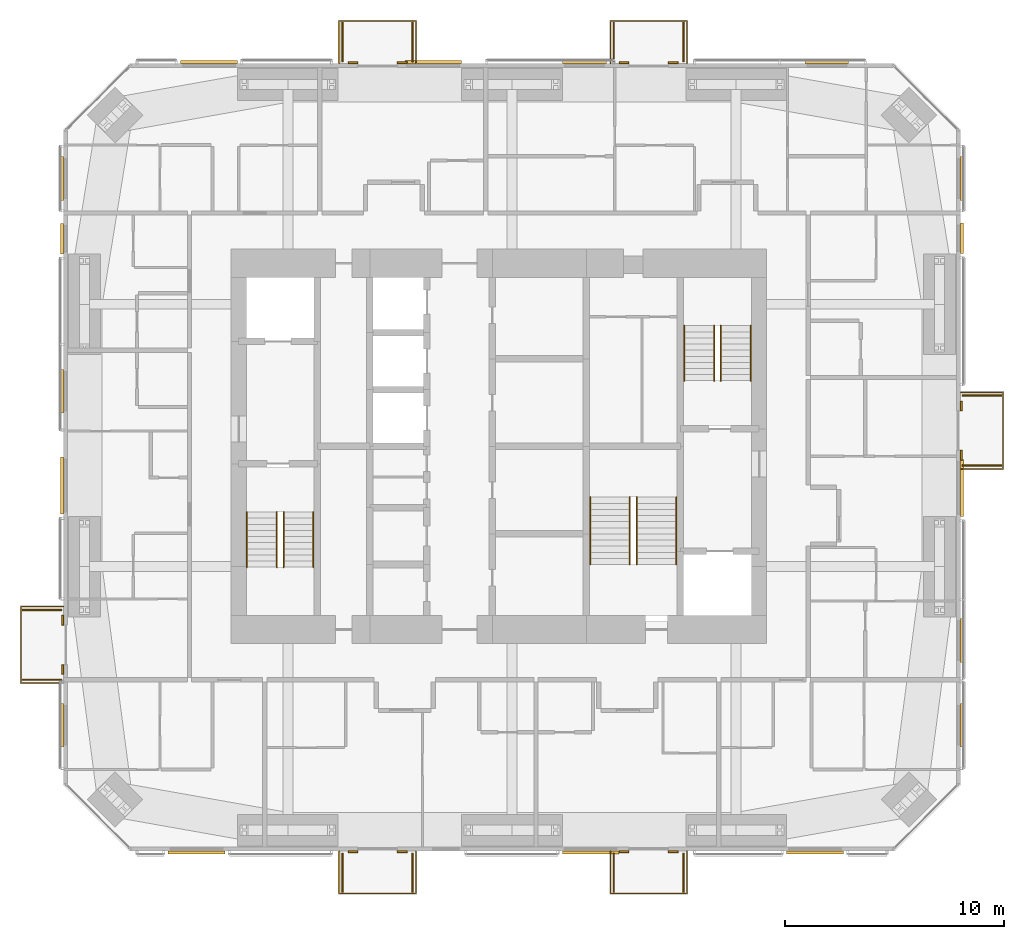
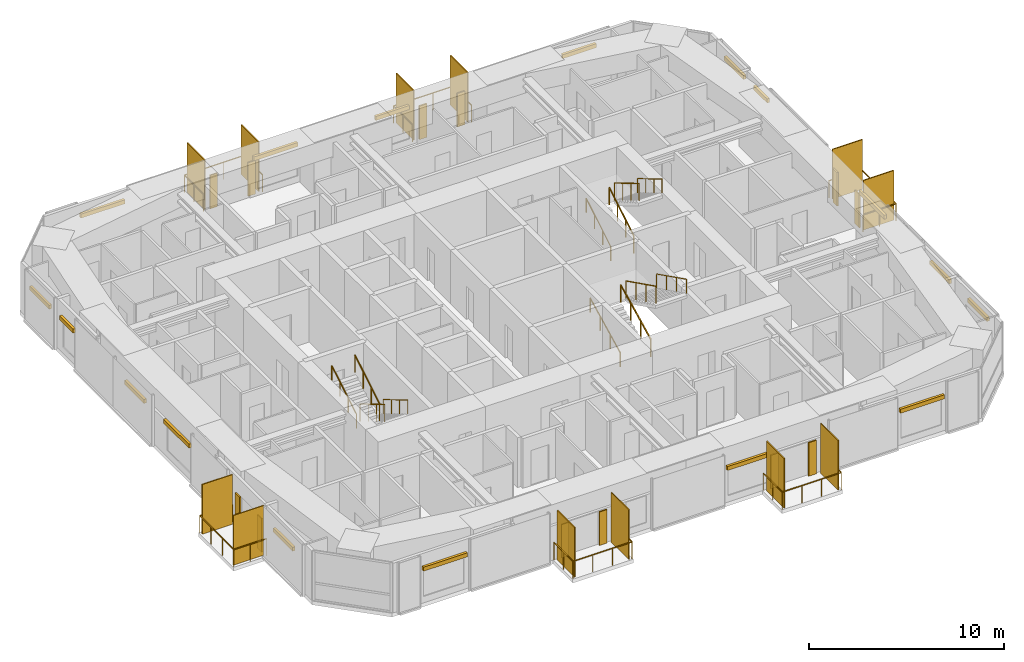
# One storey, part 23 of 23: 41 shading devices, 18 railings.
"""IFC4 building model written with IfcOpenShell, lengths in metres."""

from ifc_helpers import new_model, si_unit, direction, frame, origin, origin_2d, place, context, subcontext, project, spatial, rectangle, circle, extrude, material, layer, layer_set, constituent, constituent_set, type_object, element, save


model = new_model("IFC4")

# Units and contexts
model_context = context("Model", 3, precision=1e-05, world=origin(), true_north=direction((0.0, 1.0)))
body_context = subcontext(model_context, "Body", "Model", "MODEL_VIEW")
ifc_project = project(units=[si_unit("LENGTHUNIT", "METRE"), si_unit("AREAUNIT", "SQUARE_METRE"), si_unit("VOLUMEUNIT", "CUBIC_METRE"), si_unit("PLANEANGLEUNIT", "RADIAN"), si_unit("MASSUNIT", "GRAM", prefix="KILO")], contexts=[model_context])

# Site, building, storey
site_placement = place(None, origin())
site = spatial("IfcSite", under=ifc_project, at=site_placement, CompositionType="ELEMENT")
building_placement = place(site_placement, origin())
building = spatial("IfcBuilding", under=site, at=building_placement, Name="Jalousie Tower", CompositionType="ELEMENT")
storey_placement = place(building_placement, frame((0.0, 0.0, 164.39990234375)))
storey = spatial("IfcBuildingStorey", under=building, at=storey_placement, Name="L44", CompositionType="ELEMENT", Elevation=164.39990234375)

# Shading devices
ifc_material_1 = material(Name="Aluminium impact-rated louvred storm shutter", Category="aluminium")
shading_device_type_1 = type_object("IfcShadingDeviceType", Name="BI-FOLD STORM SHUTTER 900x2100", PredefinedType="SHUTTER", material=ifc_material_1)
for number, where, z_axis, x_axis, name in (
    (1, (25.22509765625, -0.0400390625, 0.0), (0.0, 0.0, 1.0), (1.0, 0.0, 0.0), "Balcony storm shutter L44"),
    (2, (27.47509765625, -0.0400390625, 0.0), (0.0, 0.0, 1.0), (1.0, 0.0, 0.0), "Balcony storm shutter L44"),
    (3, (37.625, -0.0400390625, 0.0), (0.0, 0.0, 1.0), (1.0, 0.0, 0.0), "Balcony storm shutter L44"),
    (4, (39.875, -0.0400390625, 0.0), (0.0, 0.0, 1.0), (1.0, 0.0, 0.0), "Balcony storm shutter L44"),
    (5, (53.0400390625, 18.10009765625, 0.0), (0.0, 0.0, 1.0), (0.0, 1.0, 0.0), "Balcony storm shutter L44"),
    (6, (53.0400390625, 20.35009765625, 0.0), (0.0, 0.0, 1.0), (0.0, 1.0, 0.0), "Balcony storm shutter L44"),
    (7, (39.875, 36.0400390625, 0.0), (0.0, 0.0, 1.0), (-1.0, 0.0, 0.0), "Balcony storm shutter L44"),
    (8, (37.625, 36.0400390625, 0.0), (0.0, 0.0, 1.0), (-1.0, 0.0, 0.0), "Balcony storm shutter L44"),
    (9, (27.47509765625, 36.0400390625, 0.0), (0.0, 0.0, 1.0), (-1.0, 0.0, 0.0), "Balcony storm shutter L44"),
    (10, (25.22509765625, 36.0400390625, 0.0), (0.0, 0.0, 1.0), (-1.0, 0.0, 0.0), "Balcony storm shutter L44"),
    (11, (11.9599609375, 10.550048828125, 0.0), (0.0, 0.0, 1.0), (0.0, -1.0, 0.0), "Balcony storm shutter L44"),
    (12, (11.9599609375, 8.300048828125, 0.0), (0.0, 0.0, 1.0), (0.0, -1.0, 0.0), "Balcony storm shutter L44"),
):
    element("IfcShadingDevice", number, at=place(storey_placement, frame(where, z_axis=z_axis, x_axis=x_axis)), inside=storey, type_object=shading_device_type_1, Name=name, PredefinedType="SHUTTER", context=body_context, shape_type="SweptSolid", body=[
        extrude(rectangle(XDim=0.449951171875, YDim=0.080078125, at=origin_2d()), origin(), (0.0, 0.0, 1.0), 2.10009765625),
    ])

# Railings
ifc_material_2 = material(Name="Powder-coated aluminium fretwork", Category="aluminium")
railing_type_1 = type_object("IfcRailingType", Name="FRETWORK BALUSTRADE 1100", PredefinedType="BALUSTRADE", material=ifc_material_2)
for number, where, name in (
    (13, (24.60009765625, 0.0, 0.0), "Balcony fretwork balustrade L44"),
    (14, (37.0, 0.0, 0.0), "Balcony fretwork balustrade L44"),
):
    element("IfcRailing", number, at=place(storey_placement, frame(where)), inside=storey, type_object=railing_type_1, Name=name, PredefinedType="BALUSTRADE", context=body_context, shape_type="SweptSolid", body=[
        extrude(rectangle(XDim=0.048095703125, YDim=0.048095703125, at=origin_2d()), frame((0.0, 0.0, 1.076171875), z_axis=(0.0, -1.0, 0.0), x_axis=(1.0, 0.0, 0.0)), (0.0, 0.0, 1.0), 1.949951171875),
        extrude(rectangle(XDim=0.048095703125, YDim=0.048095703125, at=origin_2d()), frame((0.0, -1.949951171875, 1.076171875), z_axis=(1.0, 0.0, 0.0), x_axis=(0.0, 1.0, 0.0)), (0.0, 0.0, 1.0), 3.5),
        extrude(rectangle(XDim=0.048095703125, YDim=0.048095703125, at=origin_2d()), frame((3.5, -1.949951171875, 1.076171875), z_axis=(0.0, 1.0, 0.0), x_axis=(-1.0, 0.0, 0.0)), (0.0, 0.0, 1.0), 1.949951171875),
        extrude(circle(Radius=0.02099609375, at=origin_2d()), origin(), (0.0, 0.0, 1.0), 1.052001953125),
        extrude(circle(Radius=0.02099609375, at=origin_2d()), frame((0.0, -0.97509765625, 0.0)), (0.0, 0.0, 1.0), 1.052001953125),
        extrude(circle(Radius=0.02099609375, at=origin_2d()), frame((0.0, -1.949951171875, 0.0)), (0.0, 0.0, 1.0), 1.052001953125),
        extrude(circle(Radius=0.02099609375, at=origin_2d()), frame((1.166748046875, -1.949951171875, 0.0)), (0.0, 0.0, 1.0), 1.052001953125),
        extrude(circle(Radius=0.02099609375, at=origin_2d()), frame((2.333251953125, -1.949951171875, 0.0)), (0.0, 0.0, 1.0), 1.052001953125),
        extrude(circle(Radius=0.02099609375, at=origin_2d()), frame((3.5, -1.949951171875, 0.0)), (0.0, 0.0, 1.0), 1.052001953125),
        extrude(circle(Radius=0.02099609375, at=origin_2d()), frame((3.5, -0.97509765625, 0.0)), (0.0, 0.0, 1.0), 1.052001953125),
        extrude(circle(Radius=0.02099609375, at=origin_2d()), frame((3.5, 0.0, 0.0)), (0.0, 0.0, 1.0), 1.052001953125),
    ])
railing_1_placement = place(storey_placement, frame((53.0, 17.47509765625, 0.0)))
element("IfcRailing", 15, at=railing_1_placement, inside=storey, type_object=railing_type_1, Name="Balcony fretwork balustrade L44", PredefinedType="BALUSTRADE", context=body_context, shape_type="SweptSolid", body=[
    extrude(rectangle(XDim=0.048095703125, YDim=0.048095703125, at=origin_2d()), frame((0.0, 0.0, 1.076171875), z_axis=(1.0, 0.0, 0.0), x_axis=(0.0, 1.0, 0.0)), (0.0, 0.0, 1.0), 1.949951171875),
    extrude(rectangle(XDim=0.048095703125, YDim=0.048095703125, at=origin_2d()), frame((1.949951171875, 0.0, 1.076171875), z_axis=(0.0, 1.0, 0.0), x_axis=(-1.0, 0.0, 0.0)), (0.0, 0.0, 1.0), 3.5),
    extrude(rectangle(XDim=0.048095703125, YDim=0.048095703125, at=origin_2d()), frame((1.949951171875, 3.5, 1.076171875), z_axis=(-1.0, 0.0, 0.0), x_axis=(0.0, -1.0, 0.0)), (0.0, 0.0, 1.0), 1.949951171875),
    extrude(circle(Radius=0.02099609375, at=origin_2d()), origin(), (0.0, 0.0, 1.0), 1.052001953125),
    extrude(circle(Radius=0.02099609375, at=origin_2d()), frame((0.97509765625, 0.0, 0.0)), (0.0, 0.0, 1.0), 1.052001953125),
    extrude(circle(Radius=0.02099609375, at=origin_2d()), frame((1.949951171875, 0.0, 0.0)), (0.0, 0.0, 1.0), 1.052001953125),
    extrude(circle(Radius=0.02099609375, at=origin_2d()), frame((1.949951171875, 1.166748046875, 0.0)), (0.0, 0.0, 1.0), 1.052001953125),
    extrude(circle(Radius=0.02099609375, at=origin_2d()), frame((1.949951171875, 2.333251953125, 0.0)), (0.0, 0.0, 1.0), 1.052001953125),
    extrude(circle(Radius=0.02099609375, at=origin_2d()), frame((1.949951171875, 3.5, 0.0)), (0.0, 0.0, 1.0), 1.052001953125),
    extrude(circle(Radius=0.02099609375, at=origin_2d()), frame((0.97509765625, 3.5, 0.0)), (0.0, 0.0, 1.0), 1.052001953125),
    extrude(circle(Radius=0.02099609375, at=origin_2d()), frame((0.0, 3.5, 0.0)), (0.0, 0.0, 1.0), 1.052001953125),
])
for number, where, name in (
    (16, (40.5, 36.0, 0.0), "Balcony fretwork balustrade L44"),
    (17, (28.10009765625, 36.0, 0.0), "Balcony fretwork balustrade L44"),
):
    element("IfcRailing", number, at=place(storey_placement, frame(where)), inside=storey, type_object=railing_type_1, Name=name, PredefinedType="BALUSTRADE", context=body_context, shape_type="SweptSolid", body=[
        extrude(rectangle(XDim=0.048095703125, YDim=0.048095703125, at=origin_2d()), frame((0.0, 0.0, 1.076171875), z_axis=(0.0, 1.0, 0.0), x_axis=(-1.0, 0.0, 0.0)), (0.0, 0.0, 1.0), 1.949951171875),
        extrude(rectangle(XDim=0.048095703125, YDim=0.048095703125, at=origin_2d()), frame((0.0, 1.949951171875, 1.076171875), z_axis=(-1.0, 0.0, 0.0), x_axis=(0.0, -1.0, 0.0)), (0.0, 0.0, 1.0), 3.5),
        extrude(rectangle(XDim=0.048095703125, YDim=0.048095703125, at=origin_2d()), frame((-3.5, 1.949951171875, 1.076171875), z_axis=(0.0, -1.0, 0.0), x_axis=(1.0, 0.0, 0.0)), (0.0, 0.0, 1.0), 1.949951171875),
        extrude(circle(Radius=0.02099609375, at=origin_2d()), origin(), (0.0, 0.0, 1.0), 1.052001953125),
        extrude(circle(Radius=0.02099609375, at=origin_2d()), frame((0.0, 0.97509765625, 0.0)), (0.0, 0.0, 1.0), 1.052001953125),
        extrude(circle(Radius=0.02099609375, at=origin_2d()), frame((0.0, 1.949951171875, 0.0)), (0.0, 0.0, 1.0), 1.052001953125),
        extrude(circle(Radius=0.02099609375, at=origin_2d()), frame((-1.166748046875, 1.949951171875, 0.0)), (0.0, 0.0, 1.0), 1.052001953125),
        extrude(circle(Radius=0.02099609375, at=origin_2d()), frame((-2.333251953125, 1.949951171875, 0.0)), (0.0, 0.0, 1.0), 1.052001953125),
        extrude(circle(Radius=0.02099609375, at=origin_2d()), frame((-3.5, 1.949951171875, 0.0)), (0.0, 0.0, 1.0), 1.052001953125),
        extrude(circle(Radius=0.02099609375, at=origin_2d()), frame((-3.5, 0.97509765625, 0.0)), (0.0, 0.0, 1.0), 1.052001953125),
        extrude(circle(Radius=0.02099609375, at=origin_2d()), frame((-3.5, 0.0, 0.0)), (0.0, 0.0, 1.0), 1.052001953125),
    ])
railing_2_placement = place(storey_placement, frame((12.0, 11.175048828125, 0.0)))
element("IfcRailing", 18, at=railing_2_placement, inside=storey, type_object=railing_type_1, Name="Balcony fretwork balustrade L44", PredefinedType="BALUSTRADE", context=body_context, shape_type="SweptSolid", body=[
    extrude(rectangle(XDim=0.048095703125, YDim=0.048095703125, at=origin_2d()), frame((0.0, 0.0, 1.076171875), z_axis=(-1.0, 0.0, 0.0), x_axis=(0.0, -1.0, 0.0)), (0.0, 0.0, 1.0), 1.949951171875),
    extrude(rectangle(XDim=0.048095703125, YDim=0.048095703125, at=origin_2d()), frame((-1.949951171875, 0.0, 1.076171875), z_axis=(0.0, -1.0, 0.0), x_axis=(1.0, 0.0, 0.0)), (0.0, 0.0, 1.0), 3.5),
    extrude(rectangle(XDim=0.048095703125, YDim=0.048095703125, at=origin_2d()), frame((-1.949951171875, -3.5, 1.076171875), z_axis=(1.0, 0.0, 0.0), x_axis=(0.0, 1.0, 0.0)), (0.0, 0.0, 1.0), 1.949951171875),
    extrude(circle(Radius=0.02099609375, at=origin_2d()), origin(), (0.0, 0.0, 1.0), 1.052001953125),
    extrude(circle(Radius=0.02099609375, at=origin_2d()), frame((-0.97509765625, 0.0, 0.0)), (0.0, 0.0, 1.0), 1.052001953125),
    extrude(circle(Radius=0.02099609375, at=origin_2d()), frame((-1.949951171875, 0.0, 0.0)), (0.0, 0.0, 1.0), 1.052001953125),
    extrude(circle(Radius=0.02099609375, at=origin_2d()), frame((-1.949951171875, -1.166748046875, 0.0)), (0.0, 0.0, 1.0), 1.052001953125),
    extrude(circle(Radius=0.02099609375, at=origin_2d()), frame((-1.949951171875, -2.333251953125, 0.0)), (0.0, 0.0, 1.0), 1.052001953125),
    extrude(circle(Radius=0.02099609375, at=origin_2d()), frame((-1.949951171875, -3.5, 0.0)), (0.0, 0.0, 1.0), 1.052001953125),
    extrude(circle(Radius=0.02099609375, at=origin_2d()), frame((-0.97509765625, -3.5, 0.0)), (0.0, 0.0, 1.0), 1.052001953125),
    extrude(circle(Radius=0.02099609375, at=origin_2d()), frame((0.0, -3.5, 0.0)), (0.0, 0.0, 1.0), 1.052001953125),
])

# Shading devices
ifc_material_3 = material(Name="Powder-coated aluminium louvres", Category="aluminium")
ifc_layer = layer(ifc_material_3, 0.06005859375)
ifc_layer_set = layer_set([ifc_layer], Name="Powder-coated aluminium louvres")
shading_device_type_2 = type_object("IfcShadingDeviceType", Name="JALOUSIE LOUVRE SCREEN", PredefinedType="JALOUSIE", material=ifc_layer_set)
for number, where, z_axis, x_axis, name in (
    (19, (24.75, -1.0, 0.0), (0.0, 0.0, 1.0), (1.0, 0.0, 0.0), "Jalousie louvre screen L44"),
    (20, (27.949951171875, -1.0, 0.0), (0.0, 0.0, 1.0), (1.0, 0.0, 0.0), "Jalousie louvre screen L44"),
    (21, (37.14990234375, -1.0, 0.0), (0.0, 0.0, 1.0), (1.0, 0.0, 0.0), "Jalousie louvre screen L44"),
    (22, (40.35009765625, -1.0, 0.0), (0.0, 0.0, 1.0), (1.0, 0.0, 0.0), "Jalousie louvre screen L44"),
    (23, (54.0, 17.625, 0.0), (0.0, 0.0, 1.0), (0.0, 1.0, 0.0), "Jalousie louvre screen L44"),
    (24, (54.0, 20.824951171875, 0.0), (0.0, 0.0, 1.0), (0.0, 1.0, 0.0), "Jalousie louvre screen L44"),
    (25, (40.35009765625, 37.0, 0.0), (0.0, 0.0, 1.0), (-1.0, 0.0, 0.0), "Jalousie louvre screen L44"),
    (26, (37.14990234375, 37.0, 0.0), (0.0, 0.0, 1.0), (-1.0, 0.0, 0.0), "Jalousie louvre screen L44"),
    (27, (27.949951171875, 37.0, 0.0), (0.0, 0.0, 1.0), (-1.0, 0.0, 0.0), "Jalousie louvre screen L44"),
    (28, (24.75, 37.0, 0.0), (0.0, 0.0, 1.0), (-1.0, 0.0, 0.0), "Jalousie louvre screen L44"),
    (29, (11.0, 11.02490234375, 0.0), (0.0, 0.0, 1.0), (0.0, -1.0, 0.0), "Jalousie louvre screen L44"),
    (30, (11.0, 7.824951171875, 0.0), (0.0, 0.0, 1.0), (0.0, -1.0, 0.0), "Jalousie louvre screen L44"),
):
    element("IfcShadingDevice", number, at=place(storey_placement, frame(where, z_axis=z_axis, x_axis=x_axis)), inside=storey, type_object=shading_device_type_2, Name=name, PredefinedType="JALOUSIE", context=body_context, shape_type="SweptSolid", body=[
        extrude(rectangle(XDim=0.06005859375, YDim=1.800048828125, at=origin_2d()), origin(), (0.0, 0.0, 1.0), 3.110107421875),
    ])

# Railings
ifc_material_4 = material(Name="Steel ASTM A500 Grade C", Category="steel")
ifc_constituent_1 = constituent(ifc_material_4, Name="Body")
ifc_material_5 = material(Name="Hot-dip galvanised zinc coating")
ifc_constituent_2 = constituent(ifc_material_5, Name="Finish")
ifc_constituent_set_1 = constituent_set(constituents=[ifc_constituent_1, ifc_constituent_2])
railing_type_2 = type_object("IfcRailingType", Name="STAIR GUARD 1100", PredefinedType="GUARDRAIL", material=ifc_constituent_set_1)
railing_3_placement = place(storey_placement, frame((22.054931640625, 15.49755859375, 0.16748046875)))
element("IfcRailing", 31, at=railing_3_placement, inside=storey, type_object=railing_type_2, Name="Exit stair A guard L44 flight 1", PredefinedType="GUARDRAIL", context=body_context, shape_type="SweptSolid", body=[
    extrude(rectangle(XDim=0.048095703125, YDim=0.048095703125, at=origin_2d()), frame((0.0, 0.0, 1.076171875), z_axis=(0.0, -0.858159760407, 0.513382728203), x_axis=(1.0, 0.0, 0.0)), (0.0, 0.0, 1.0), 2.9365234375),
    extrude(circle(Radius=0.02099609375, at=origin_2d()), origin(), (0.0, 0.0, 1.0), 1.052001953125),
    extrude(circle(Radius=0.02099609375, at=origin_2d()), frame((0.0, -0.840087890625, 0.50244140625)), (0.0, 0.0, 1.0), 1.052001953125),
    extrude(circle(Radius=0.02099609375, at=origin_2d()), frame((0.0, -1.679931640625, 1.005126953125)), (0.0, 0.0, 1.0), 1.052001953125),
    extrude(circle(Radius=0.02099609375, at=origin_2d()), frame((0.0, -2.52001953125, 1.507568359375)), (0.0, 0.0, 1.0), 1.052001953125),
])
for number, where, name in (
    (32, (21.7451171875, 12.9775390625, 1.842529296875), "Exit stair A guard L44 flight 2"),
    (33, (41.7451171875, 21.50244140625, 0.16748046875), "Exit stair B guard L44 flight 1"),
):
    element("IfcRailing", number, at=place(storey_placement, frame(where)), inside=storey, type_object=railing_type_2, Name=name, PredefinedType="GUARDRAIL", context=body_context, shape_type="SweptSolid", body=[
        extrude(rectangle(XDim=0.048095703125, YDim=0.048095703125, at=origin_2d()), frame((0.0, 0.0, 1.076171875), z_axis=(0.0, 0.858159760407, 0.513382728203), x_axis=(-1.0, 0.0, 0.0)), (0.0, 0.0, 1.0), 2.9365234375),
        extrude(circle(Radius=0.02099609375, at=origin_2d()), origin(), (0.0, 0.0, 1.0), 1.052001953125),
        extrude(circle(Radius=0.02099609375, at=origin_2d()), frame((0.0, 0.840087890625, 0.50244140625)), (0.0, 0.0, 1.0), 1.052001953125),
        extrude(circle(Radius=0.02099609375, at=origin_2d()), frame((0.0, 1.679931640625, 1.005126953125)), (0.0, 0.0, 1.0), 1.052001953125),
        extrude(circle(Radius=0.02099609375, at=origin_2d()), frame((0.0, 2.52001953125, 1.507568359375)), (0.0, 0.0, 1.0), 1.052001953125),
    ])
railing_4_placement = place(storey_placement, frame((42.054931640625, 24.0224609375, 1.842529296875)))
element("IfcRailing", 34, at=railing_4_placement, inside=storey, type_object=railing_type_2, Name="Exit stair B guard L44 flight 2", PredefinedType="GUARDRAIL", context=body_context, shape_type="SweptSolid", body=[
    extrude(rectangle(XDim=0.048095703125, YDim=0.048095703125, at=origin_2d()), frame((0.0, 0.0, 1.076171875), z_axis=(0.0, -0.858159760407, 0.513382728203), x_axis=(1.0, 0.0, 0.0)), (0.0, 0.0, 1.0), 2.9365234375),
    extrude(circle(Radius=0.02099609375, at=origin_2d()), origin(), (0.0, 0.0, 1.0), 1.052001953125),
    extrude(circle(Radius=0.02099609375, at=origin_2d()), frame((0.0, -0.840087890625, 0.50244140625)), (0.0, 0.0, 1.0), 1.052001953125),
    extrude(circle(Radius=0.02099609375, at=origin_2d()), frame((0.0, -1.679931640625, 1.005126953125)), (0.0, 0.0, 1.0), 1.052001953125),
    extrude(circle(Radius=0.02099609375, at=origin_2d()), frame((0.0, -2.52001953125, 1.507568359375)), (0.0, 0.0, 1.0), 1.052001953125),
])
railing_5_placement = place(storey_placement, frame((37.89501953125, 13.097412109375, 0.1396484375)))
element("IfcRailing", 35, at=railing_5_placement, inside=storey, type_object=railing_type_2, Name="Exit stair C guard L44 flight 1", PredefinedType="GUARDRAIL", context=body_context, shape_type="SweptSolid", body=[
    extrude(rectangle(XDim=0.048095703125, YDim=0.048095703125, at=origin_2d()), frame((0.0, 0.0, 1.076171875), z_axis=(0.0, 0.894965676997, 0.446134998624), x_axis=(-1.0, 0.0, 0.0)), (0.0, 0.0, 1.0), 3.441650390625),
    extrude(circle(Radius=0.02099609375, at=origin_2d()), origin(), (0.0, 0.0, 1.0), 1.052001953125),
    extrude(circle(Radius=0.02099609375, at=origin_2d()), frame((0.0, 1.026611328125, 0.51171875)), (0.0, 0.0, 1.0), 1.052001953125),
    extrude(circle(Radius=0.02099609375, at=origin_2d()), frame((0.0, 2.053466796875, 1.023681640625)), (0.0, 0.0, 1.0), 1.052001953125),
    extrude(circle(Radius=0.02099609375, at=origin_2d()), frame((0.0, 3.080078125, 1.535400390625)), (0.0, 0.0, 1.0), 1.052001953125),
])
railing_6_placement = place(storey_placement, frame((38.205078125, 16.177490234375, 1.814697265625)))
element("IfcRailing", 36, at=railing_6_placement, inside=storey, type_object=railing_type_2, Name="Exit stair C guard L44 flight 2", PredefinedType="GUARDRAIL", context=body_context, shape_type="SweptSolid", body=[
    extrude(rectangle(XDim=0.048095703125, YDim=0.048095703125, at=origin_2d()), frame((0.0, 0.0, 1.076171875), z_axis=(0.0, -0.894965676997, 0.446134998624), x_axis=(1.0, 0.0, 0.0)), (0.0, 0.0, 1.0), 3.441650390625),
    extrude(circle(Radius=0.02099609375, at=origin_2d()), origin(), (0.0, 0.0, 1.0), 1.052001953125),
    extrude(circle(Radius=0.02099609375, at=origin_2d()), frame((0.0, -1.026611328125, 0.51171875)), (0.0, 0.0, 1.0), 1.052001953125),
    extrude(circle(Radius=0.02099609375, at=origin_2d()), frame((0.0, -2.053466796875, 1.023681640625)), (0.0, 0.0, 1.0), 1.052001953125),
    extrude(circle(Radius=0.02099609375, at=origin_2d()), frame((0.0, -3.080078125, 1.535400390625)), (0.0, 0.0, 1.0), 1.052001953125),
])
ifc_material_6 = material(Name="Steel ASTM A500 Grade C", Category="steel")
ifc_constituent_3 = constituent(ifc_material_6, Name="Body")
ifc_material_7 = material(Name="Hot-dip galvanised zinc coating")
ifc_constituent_4 = constituent(ifc_material_7, Name="Finish")
ifc_constituent_set_2 = constituent_set(constituents=[ifc_constituent_3, ifc_constituent_4])
railing_type_3 = type_object("IfcRailingType", Name="STAIR HANDRAIL 900", PredefinedType="HANDRAIL", material=ifc_constituent_set_2)
railing_7_placement = place(storey_placement, frame((23.419921875, 15.49755859375, 0.16748046875)))
element("IfcRailing", 37, at=railing_7_placement, inside=storey, type_object=railing_type_3, Name="Exit stair A handrail L44 flight 1", PredefinedType="HANDRAIL", context=body_context, shape_type="SweptSolid", body=[
    extrude(circle(Radius=0.02392578125, at=origin_2d()), frame((0.0, 0.0, 0.8759765625), z_axis=(0.0, -0.858159760407, 0.513382728203), x_axis=(1.0, 0.0, 0.0)), (0.0, 0.0, 1.0), 2.9365234375),
    extrude(circle(Radius=0.02099609375, at=origin_2d()), origin(), (0.0, 0.0, 1.0), 0.851806640625),
    extrude(circle(Radius=0.02099609375, at=origin_2d()), frame((0.0, -0.840087890625, 0.50244140625)), (0.0, 0.0, 1.0), 0.851806640625),
    extrude(circle(Radius=0.02099609375, at=origin_2d()), frame((0.0, -1.679931640625, 1.005126953125)), (0.0, 0.0, 1.0), 0.851806640625),
    extrude(circle(Radius=0.02099609375, at=origin_2d()), frame((0.0, -2.52001953125, 1.507568359375)), (0.0, 0.0, 1.0), 0.851806640625),
])
for number, where, name in (
    (38, (20.3798828125, 12.9775390625, 1.842529296875), "Exit stair A handrail L44 flight 2"),
    (39, (40.3798828125, 21.50244140625, 0.16748046875), "Exit stair B handrail L44 flight 1"),
):
    element("IfcRailing", number, at=place(storey_placement, frame(where)), inside=storey, type_object=railing_type_3, Name=name, PredefinedType="HANDRAIL", context=body_context, shape_type="SweptSolid", body=[
        extrude(circle(Radius=0.02392578125, at=origin_2d()), frame((0.0, 0.0, 0.8759765625), z_axis=(0.0, 0.858159760407, 0.513382728203), x_axis=(-1.0, 0.0, 0.0)), (0.0, 0.0, 1.0), 2.9365234375),
        extrude(circle(Radius=0.02099609375, at=origin_2d()), origin(), (0.0, 0.0, 1.0), 0.851806640625),
        extrude(circle(Radius=0.02099609375, at=origin_2d()), frame((0.0, 0.840087890625, 0.50244140625)), (0.0, 0.0, 1.0), 0.851806640625),
        extrude(circle(Radius=0.02099609375, at=origin_2d()), frame((0.0, 1.679931640625, 1.005126953125)), (0.0, 0.0, 1.0), 0.851806640625),
        extrude(circle(Radius=0.02099609375, at=origin_2d()), frame((0.0, 2.52001953125, 1.507568359375)), (0.0, 0.0, 1.0), 0.851806640625),
    ])
railing_8_placement = place(storey_placement, frame((43.419921875, 24.0224609375, 1.842529296875)))
element("IfcRailing", 40, at=railing_8_placement, inside=storey, type_object=railing_type_3, Name="Exit stair B handrail L44 flight 2", PredefinedType="HANDRAIL", context=body_context, shape_type="SweptSolid", body=[
    extrude(circle(Radius=0.02392578125, at=origin_2d()), frame((0.0, 0.0, 0.8759765625), z_axis=(0.0, -0.858159760407, 0.513382728203), x_axis=(1.0, 0.0, 0.0)), (0.0, 0.0, 1.0), 2.9365234375),
    extrude(circle(Radius=0.02099609375, at=origin_2d()), origin(), (0.0, 0.0, 1.0), 0.851806640625),
    extrude(circle(Radius=0.02099609375, at=origin_2d()), frame((0.0, -0.840087890625, 0.50244140625)), (0.0, 0.0, 1.0), 0.851806640625),
    extrude(circle(Radius=0.02099609375, at=origin_2d()), frame((0.0, -1.679931640625, 1.005126953125)), (0.0, 0.0, 1.0), 0.851806640625),
    extrude(circle(Radius=0.02099609375, at=origin_2d()), frame((0.0, -2.52001953125, 1.507568359375)), (0.0, 0.0, 1.0), 0.851806640625),
])
railing_9_placement = place(storey_placement, frame((36.080078125, 13.097412109375, 0.1396484375)))
element("IfcRailing", 41, at=railing_9_placement, inside=storey, type_object=railing_type_3, Name="Exit stair C handrail L44 flight 1", PredefinedType="HANDRAIL", context=body_context, shape_type="SweptSolid", body=[
    extrude(circle(Radius=0.02392578125, at=origin_2d()), frame((0.0, 0.0, 0.8759765625), z_axis=(0.0, 0.894965676997, 0.446134998624), x_axis=(-1.0, 0.0, 0.0)), (0.0, 0.0, 1.0), 3.441650390625),
    extrude(circle(Radius=0.02099609375, at=origin_2d()), origin(), (0.0, 0.0, 1.0), 0.851806640625),
    extrude(circle(Radius=0.02099609375, at=origin_2d()), frame((0.0, 1.026611328125, 0.51171875)), (0.0, 0.0, 1.0), 0.851806640625),
    extrude(circle(Radius=0.02099609375, at=origin_2d()), frame((0.0, 2.053466796875, 1.023681640625)), (0.0, 0.0, 1.0), 0.851806640625),
    extrude(circle(Radius=0.02099609375, at=origin_2d()), frame((0.0, 3.080078125, 1.535400390625)), (0.0, 0.0, 1.0), 0.851806640625),
])
railing_10_placement = place(storey_placement, frame((40.02001953125, 16.177490234375, 1.814697265625)))
element("IfcRailing", 42, at=railing_10_placement, inside=storey, type_object=railing_type_3, Name="Exit stair C handrail L44 flight 2", PredefinedType="HANDRAIL", context=body_context, shape_type="SweptSolid", body=[
    extrude(circle(Radius=0.02392578125, at=origin_2d()), frame((0.0, 0.0, 0.8759765625), z_axis=(0.0, -0.894965676997, 0.446134998624), x_axis=(1.0, 0.0, 0.0)), (0.0, 0.0, 1.0), 3.441650390625),
    extrude(circle(Radius=0.02099609375, at=origin_2d()), origin(), (0.0, 0.0, 1.0), 0.851806640625),
    extrude(circle(Radius=0.02099609375, at=origin_2d()), frame((0.0, -1.026611328125, 0.51171875)), (0.0, 0.0, 1.0), 0.851806640625),
    extrude(circle(Radius=0.02099609375, at=origin_2d()), frame((0.0, -2.053466796875, 1.023681640625)), (0.0, 0.0, 1.0), 0.851806640625),
    extrude(circle(Radius=0.02099609375, at=origin_2d()), frame((0.0, -3.080078125, 1.535400390625)), (0.0, 0.0, 1.0), 0.851806640625),
])

# Shading devices
ifc_material_8 = material(Name="Aluminium roller storm shutter", Category="aluminium")
shading_device_type_3 = type_object("IfcShadingDeviceType", Name="STORM SHUTTER HOUSING", PredefinedType="SHUTTER", material=ifc_material_8)
for number, where, z_axis, x_axis, name in (
    (43, (18.07568359375, -0.074951171875, 2.10009765625), (0.0, 0.0, 1.0), (1.0, 0.0, 0.0), "Storm shutter L44"),
    (44, (36.10009765625, -0.074951171875, 2.10009765625), (0.0, 0.0, 1.0), (1.0, 0.0, 0.0), "Storm shutter L44"),
    (45, (46.359375, -0.074951171875, 2.10009765625), (0.0, 0.0, 1.0), (1.0, 0.0, 0.0), "Storm shutter L44"),
):
    element("IfcShadingDevice", number, at=place(storey_placement, frame(where, z_axis=z_axis, x_axis=x_axis)), inside=storey, type_object=shading_device_type_3, Name=name, PredefinedType="SHUTTER", context=body_context, shape_type="SweptSolid", body=[
        extrude(rectangle(XDim=2.60009765625, YDim=0.14990234375, at=origin_2d()), origin(), (0.0, 0.0, 1.0), 0.25),
    ])
for number, where, z_axis, x_axis, name in (
    (46, (53.074951171875, 5.748046875, 2.10009765625), (0.0, 0.0, 1.0), (0.0, 1.0, 0.0), "Storm shutter L44"),
    (47, (53.074951171875, 9.625, 2.10009765625), (0.0, 0.0, 1.0), (0.0, 1.0, 0.0), "Storm shutter L44"),
):
    element("IfcShadingDevice", number, at=place(storey_placement, frame(where, z_axis=z_axis, x_axis=x_axis)), inside=storey, type_object=shading_device_type_3, Name=name, PredefinedType="SHUTTER", context=body_context, shape_type="SweptSolid", body=[
        extrude(rectangle(XDim=2.0, YDim=0.14990234375, at=origin_2d()), origin(), (0.0, 0.0, 1.0), 0.25),
    ])
shading_device_1_placement = place(storey_placement, frame((53.074951171875, 16.60009765625, 2.10009765625), z_axis=(0.0, 0.0, 1.0), x_axis=(0.0, 1.0, 0.0)))
element("IfcShadingDevice", 48, at=shading_device_1_placement, inside=storey, type_object=shading_device_type_3, Name="Storm shutter L44", PredefinedType="SHUTTER", context=body_context, shape_type="SweptSolid", body=[
    extrude(rectangle(XDim=2.60009765625, YDim=0.14990234375, at=origin_2d()), origin(), (0.0, 0.0, 1.0), 0.25),
])
shading_device_2_placement = place(storey_placement, frame((53.074951171875, 28.0244140625, 2.10009765625), z_axis=(0.0, 0.0, 1.0), x_axis=(0.0, 1.0, 0.0)))
element("IfcShadingDevice", 49, at=shading_device_2_placement, inside=storey, type_object=shading_device_type_3, Name="Storm shutter L44", PredefinedType="SHUTTER", context=body_context, shape_type="SweptSolid", body=[
    extrude(rectangle(XDim=1.39990234375, YDim=0.14990234375, at=origin_2d()), origin(), (0.0, 0.0, 1.0), 0.25),
])
for number, where, z_axis, x_axis, name in (
    (50, (53.074951171875, 30.751708984375, 2.10009765625), (0.0, 0.0, 1.0), (0.0, 1.0, 0.0), "Storm shutter L44"),
    (51, (46.89990234375, 36.074951171875, 2.10009765625), (0.0, 0.0, 1.0), (-1.0, 0.0, 0.0), "Storm shutter L44"),
    (52, (35.8173828125, 36.074951171875, 2.10009765625), (0.0, 0.0, 1.0), (-1.0, 0.0, 0.0), "Storm shutter L44"),
):
    element("IfcShadingDevice", number, at=place(storey_placement, frame(where, z_axis=z_axis, x_axis=x_axis)), inside=storey, type_object=shading_device_type_3, Name=name, PredefinedType="SHUTTER", context=body_context, shape_type="SweptSolid", body=[
        extrude(rectangle(XDim=2.0, YDim=0.14990234375, at=origin_2d()), origin(), (0.0, 0.0, 1.0), 0.25),
    ])
for number, where, z_axis, x_axis, name in (
    (53, (28.8955078125, 36.074951171875, 2.10009765625), (0.0, 0.0, 1.0), (-1.0, 0.0, 0.0), "Storm shutter L44"),
    (54, (18.64453125, 36.074951171875, 2.10009765625), (0.0, 0.0, 1.0), (-1.0, 0.0, 0.0), "Storm shutter L44"),
):
    element("IfcShadingDevice", number, at=place(storey_placement, frame(where, z_axis=z_axis, x_axis=x_axis)), inside=storey, type_object=shading_device_type_3, Name=name, PredefinedType="SHUTTER", context=body_context, shape_type="SweptSolid", body=[
        extrude(rectangle(XDim=2.60009765625, YDim=0.14990234375, at=origin_2d()), origin(), (0.0, 0.0, 1.0), 0.25),
    ])
shading_device_3_placement = place(storey_placement, frame((11.925048828125, 30.751953125, 2.10009765625), z_axis=(0.0, 0.0, 1.0), x_axis=(0.0, -1.0, 0.0)))
element("IfcShadingDevice", 55, at=shading_device_3_placement, inside=storey, type_object=shading_device_type_3, Name="Storm shutter L44", PredefinedType="SHUTTER", context=body_context, shape_type="SweptSolid", body=[
    extrude(rectangle(XDim=2.0, YDim=0.14990234375, at=origin_2d()), origin(), (0.0, 0.0, 1.0), 0.25),
])
shading_device_4_placement = place(storey_placement, frame((11.925048828125, 28.0, 2.10009765625), z_axis=(0.0, 0.0, 1.0), x_axis=(0.0, -1.0, 0.0)))
element("IfcShadingDevice", 56, at=shading_device_4_placement, inside=storey, type_object=shading_device_type_3, Name="Storm shutter L44", PredefinedType="SHUTTER", context=body_context, shape_type="SweptSolid", body=[
    extrude(rectangle(XDim=1.39990234375, YDim=0.14990234375, at=origin_2d()), origin(), (0.0, 0.0, 1.0), 0.25),
])
shading_device_5_placement = place(storey_placement, frame((11.925048828125, 21.02490234375, 2.10009765625), z_axis=(0.0, 0.0, 1.0), x_axis=(0.0, -1.0, 0.0)))
element("IfcShadingDevice", 57, at=shading_device_5_placement, inside=storey, type_object=shading_device_type_3, Name="Storm shutter L44", PredefinedType="SHUTTER", context=body_context, shape_type="SweptSolid", body=[
    extrude(rectangle(XDim=2.0, YDim=0.14990234375, at=origin_2d()), origin(), (0.0, 0.0, 1.0), 0.25),
])
shading_device_6_placement = place(storey_placement, frame((11.925048828125, 16.705078125, 2.10009765625), z_axis=(0.0, 0.0, 1.0), x_axis=(0.0, -1.0, 0.0)))
element("IfcShadingDevice", 58, at=shading_device_6_placement, inside=storey, type_object=shading_device_type_3, Name="Storm shutter L44", PredefinedType="SHUTTER", context=body_context, shape_type="SweptSolid", body=[
    extrude(rectangle(XDim=2.60009765625, YDim=0.14990234375, at=origin_2d()), origin(), (0.0, 0.0, 1.0), 0.25),
])
shading_device_7_placement = place(storey_placement, frame((11.925048828125, 5.748291015625, 2.10009765625), z_axis=(0.0, 0.0, 1.0), x_axis=(0.0, -1.0, 0.0)))
element("IfcShadingDevice", 59, at=shading_device_7_placement, inside=storey, type_object=shading_device_type_3, Name="Storm shutter L44", PredefinedType="SHUTTER", context=body_context, shape_type="SweptSolid", body=[
    extrude(rectangle(XDim=2.0, YDim=0.14990234375, at=origin_2d()), origin(), (0.0, 0.0, 1.0), 0.25),
])

save(model, "model.ifc")
